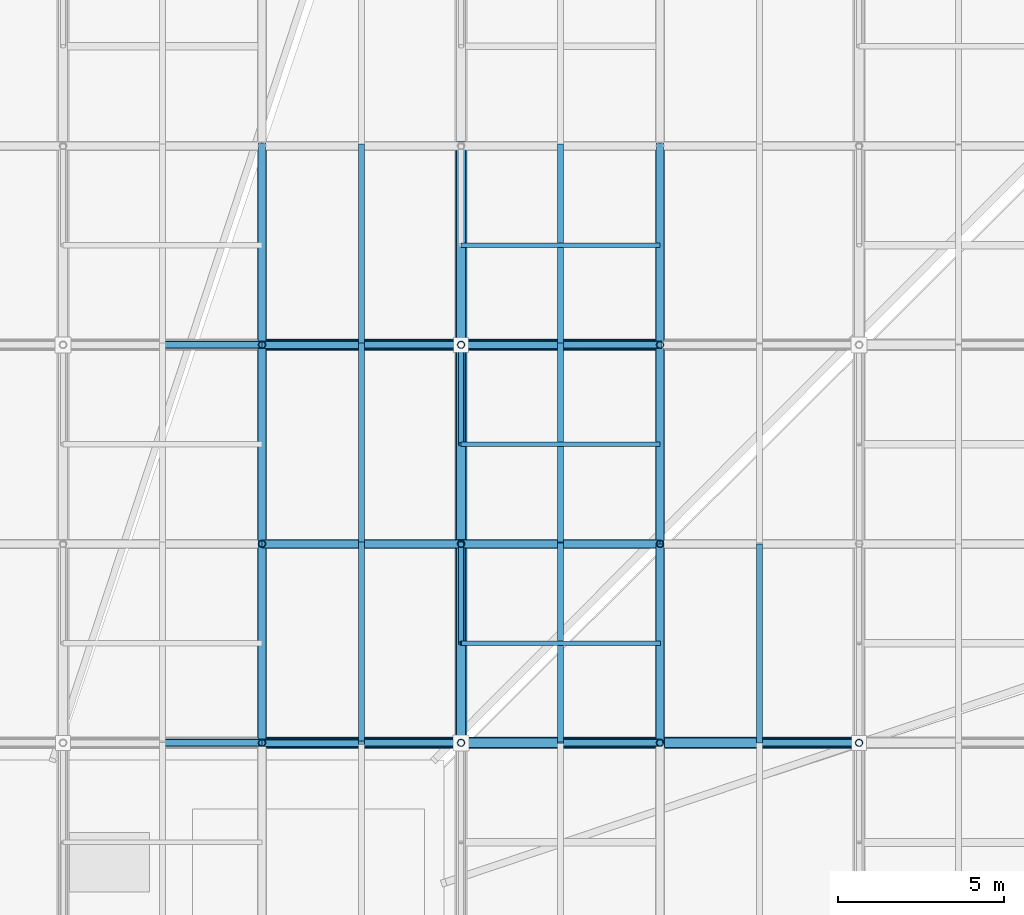
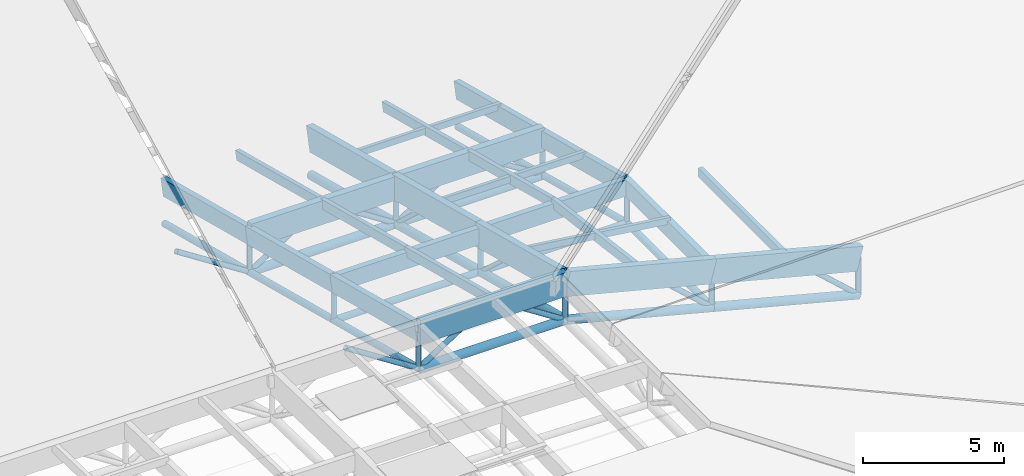
# One storey, part 40 of 80: 64 members.
"""IFC4 building model written with IfcOpenShell, lengths in metres."""

from ifc_helpers import new_model, si_unit, direction, frame, origin, origin_2d, place, context, subcontext, project, spatial, rectangle, hollow_circle, extrude, material, material_profile, profile_set, type_object, element, save


model = new_model("IFC4")

# Units and contexts
model_context = context("Model", 3, precision=1e-05, world=origin(), true_north=direction((0.0, 1.0)))
body_context = subcontext(model_context, "Body", "Model", "MODEL_VIEW")
ifc_project = project(units=[si_unit("LENGTHUNIT", "METRE"), si_unit("AREAUNIT", "SQUARE_METRE"), si_unit("VOLUMEUNIT", "CUBIC_METRE"), si_unit("PLANEANGLEUNIT", "RADIAN"), si_unit("MASSUNIT", "GRAM", prefix="KILO"), si_unit("THERMODYNAMICTEMPERATUREUNIT", "KELVIN"), si_unit("POWERUNIT", "WATT")], contexts=[model_context])

# Site, building, storey
site_placement = place(None, origin())
site = spatial("IfcSite", under=ifc_project, at=site_placement, CompositionType="ELEMENT")
building_placement = place(site_placement, origin())
building = spatial("IfcBuilding", under=site, at=building_placement, Name="Solmara Park Aquatics Centre", CompositionType="ELEMENT")
storey_placement = place(building_placement, frame((0.0, 0.0, 22.800048828125)))
storey = spatial("IfcBuildingStorey", under=building, at=storey_placement, Name="RF", CompositionType="ELEMENT", Elevation=22.800048828125)

# Members
ifc_material_1 = material(Name="Structural Steel S355", Category="steel")
ifc_material_profile_1 = material_profile(ifc_material_1, hollow_circle(Radius=0.084228515625, WallThickness=0.008056640625, at=origin_2d()), Name="CHS 168.3x8")
ifc_profile_set_1 = profile_set([ifc_material_profile_1], Name="Structural Steel S355")
member_type_1 = type_object("IfcMemberType", Name="STR-BRC-CHS168", PredefinedType="BRACE", material=ifc_profile_set_1)
for number, where, z_axis, x_axis, name in (
    (1, (72.60009765625, 54.60009765625, -6.486328125), (0.0, -0.736437262703, 0.67650584484), (1.0, 0.0, 0.0), "Roof Truss Web Diagonal Y 2053"),
    (2, (72.60009765625, 60.60009765625, -8.0380859375), (0.0, -0.736437262703, 0.67650584484), (1.0, 0.0, 0.0), "Roof Truss Web Diagonal Y 2078"),
):
    element("IfcMember", number, at=place(storey_placement, frame(where, z_axis=z_axis, x_axis=x_axis)), inside=storey, type_object=member_type_1, Name=name, PredefinedType="BRACE", context=body_context, shape_type="SweptSolid", body=[
        extrude(hollow_circle(Radius=0.084228515625, WallThickness=0.008056640625, at=origin_2d()), origin(), (0.0, 0.0, 1.0), 4.07373046875),
    ])
ifc_material_profile_2 = material_profile(ifc_material_1, hollow_circle(Radius=0.109619140625, WallThickness=0.010009765625, at=origin_2d()), Name="CHS 219.1x10")
ifc_profile_set_2 = profile_set([ifc_material_profile_2], Name="Structural Steel S355")
member_type_2 = type_object("IfcMemberType", Name="STR-BRC-CHS219", PredefinedType="BRACE", material=ifc_profile_set_2)
for number, where, z_axis, x_axis, name in (
    (3, (66.60009765625, 48.60009765625, -4.9345703125), (-0.83972779743, 0.0, 0.543007574738), (0.0, -1.0, 0.0), "Roof Truss Web Diagonal X 1646"),
    (4, (66.60009765625, 60.60009765625, -8.0380859375), (-0.83972779743, 0.0, 0.543007574738), (0.0, -1.0, 0.0), "Roof Truss Web Diagonal X 1648"),
    (5, (66.60009765625, 48.60009765625, -4.9345703125), (0.83972779743, 0.0, 0.543007574738), (0.0, 1.0, 0.0), "Roof Truss Web Diagonal X 1675"),
    (6, (72.60009765625, 48.60009765625, -4.9345703125), (-0.83972779743, 0.0, 0.543007574738), (0.0, -1.0, 0.0), "Roof Truss Web Diagonal X 1676"),
    (7, (66.60009765625, 60.60009765625, -8.0380859375), (0.83972779743, 0.0, 0.543007574738), (0.0, 1.0, 0.0), "Roof Truss Web Diagonal X 1677"),
    (8, (72.60009765625, 60.60009765625, -8.0380859375), (-0.83972779743, 0.0, 0.543007574738), (0.0, -1.0, 0.0), "Roof Truss Web Diagonal X 1678"),
):
    element("IfcMember", number, at=place(storey_placement, frame(where, z_axis=z_axis, x_axis=x_axis)), inside=storey, type_object=member_type_2, Name=name, PredefinedType="BRACE", context=body_context, shape_type="SweptSolid", body=[
        extrude(hollow_circle(Radius=0.109619140625, WallThickness=0.010009765625, at=origin_2d()), origin(), (0.0, 0.0, 1.0), 3.572509765625),
    ])
member_1_placement = place(storey_placement, frame((78.60009765625, 48.60009765625, -6.486328125), z_axis=(-0.741347083846, 0.0, 0.671121822974), x_axis=(0.0, -1.0, 0.0)))
element("IfcMember", 9, at=member_1_placement, inside=storey, type_object=member_type_2, Name="Roof Truss Web Diagonal X 1704", PredefinedType="BRACE", context=body_context, shape_type="SweptSolid", body=[
    extrude(hollow_circle(Radius=0.109619140625, WallThickness=0.010009765625, at=origin_2d()), origin(), (0.0, 0.0, 1.0), 4.046630859375),
])
for number, where, z_axis, x_axis, name in (
    (10, (72.60009765625, 60.60009765625, -8.0380859375), (0.83972779743, 0.0, 0.543007574738), (0.0, 1.0, 0.0), "Roof Truss Web Diagonal X 1705"),
    (11, (78.60009765625, 60.60009765625, -8.0380859375), (-0.83972779743, 0.0, 0.543007574738), (0.0, -1.0, 0.0), "Roof Truss Web Diagonal X 1706"),
):
    element("IfcMember", number, at=place(storey_placement, frame(where, z_axis=z_axis, x_axis=x_axis)), inside=storey, type_object=member_type_2, Name=name, PredefinedType="BRACE", context=body_context, shape_type="SweptSolid", body=[
        extrude(hollow_circle(Radius=0.109619140625, WallThickness=0.010009765625, at=origin_2d()), origin(), (0.0, 0.0, 1.0), 3.572509765625),
    ])
member_2_placement = place(storey_placement, frame((84.60009765625, 48.60009765625, -8.0380859375), z_axis=(-0.741347083846, 0.0, 0.671121822974), x_axis=(0.0, -1.0, 0.0)))
element("IfcMember", 12, at=member_2_placement, inside=storey, type_object=member_type_2, Name="Roof Truss Web Diagonal X 1732", PredefinedType="BRACE", context=body_context, shape_type="SweptSolid", body=[
    extrude(hollow_circle(Radius=0.109619140625, WallThickness=0.010009765625, at=origin_2d()), origin(), (0.0, 0.0, 1.0), 4.046630859375),
])
ifc_material_profile_3 = material_profile(ifc_material_1, hollow_circle(Radius=0.136474609375, WallThickness=0.012451171875, at=origin_2d()), Name="CHS 273x12.5")
ifc_profile_set_3 = profile_set([ifc_material_profile_3], Name="Structural Steel S355")
member_type_3 = type_object("IfcMemberType", Name="STR-CHD-CHS273", PredefinedType="CHORD", material=ifc_profile_set_3)
for number, where, z_axis, x_axis, name in (
    (13, (66.60009765625, 54.60009765625, -6.486328125), (1.0, 0.0, 0.0), (0.0, 1.0, 0.0), "Steel Roof Truss Bottom Chord X 0348"),
    (14, (72.60009765625, 54.60009765625, -6.486328125), (1.0, 0.0, 0.0), (0.0, 1.0, 0.0), "Steel Roof Truss Bottom Chord X 0350"),
):
    element("IfcMember", number, at=place(storey_placement, frame(where, z_axis=z_axis, x_axis=x_axis)), inside=storey, type_object=member_type_3, Name=name, PredefinedType="CHORD", context=body_context, shape_type="SweptSolid", body=[
        extrude(hollow_circle(Radius=0.136474609375, WallThickness=0.012451171875, at=origin_2d()), origin(), (0.0, 0.0, 1.0), 6.0),
    ])
for number, where, z_axis, x_axis, name in (
    (15, (66.60009765625, 48.60009765625, -4.9345703125), (0.0, 0.968145594442, -0.250387914969), (-1.0, 0.0, 0.0), "Steel Roof Truss Bottom Chord Y 0866"),
    (16, (66.60009765625, 54.60009765625, -6.486328125), (0.0, 0.968145594442, -0.250387914969), (-1.0, 0.0, 0.0), "Steel Roof Truss Bottom Chord Y 0868"),
    (17, (66.60009765625, 60.60009765625, -8.0380859375), (0.0, 0.968145594442, -0.250387914969), (-1.0, 0.0, 0.0), "Steel Roof Truss Bottom Chord Y 0870"),
):
    element("IfcMember", number, at=place(storey_placement, frame(where, z_axis=z_axis, x_axis=x_axis)), inside=storey, type_object=member_type_3, Name=name, PredefinedType="CHORD", context=body_context, shape_type="SweptSolid", body=[
        extrude(hollow_circle(Radius=0.136474609375, WallThickness=0.012451171875, at=origin_2d()), origin(), (0.0, 0.0, 1.0), 6.197509765625),
    ])
member_3_placement = place(storey_placement, frame((78.60009765625, 48.60009765625, -6.486328125), z_axis=(0.0, 1.0, 0.0), x_axis=(-1.0, 0.0, 0.0)))
element("IfcMember", 18, at=member_3_placement, inside=storey, type_object=member_type_3, Name="Steel Roof Truss Bottom Chord Y 0922", PredefinedType="CHORD", context=body_context, shape_type="SweptSolid", body=[
    extrude(hollow_circle(Radius=0.136474609375, WallThickness=0.012451171875, at=origin_2d()), origin(), (0.0, 0.0, 1.0), 6.0),
])
for number, where, z_axis, x_axis, name in (
    (19, (78.60009765625, 54.60009765625, -6.486328125), (0.0, 0.968145594442, -0.250387914969), (-1.0, 0.0, 0.0), "Steel Roof Truss Bottom Chord Y 0924"),
    (20, (78.60009765625, 60.60009765625, -8.0380859375), (0.0, 0.968145594442, -0.250387914969), (-1.0, 0.0, 0.0), "Steel Roof Truss Bottom Chord Y 0926"),
):
    element("IfcMember", number, at=place(storey_placement, frame(where, z_axis=z_axis, x_axis=x_axis)), inside=storey, type_object=member_type_3, Name=name, PredefinedType="CHORD", context=body_context, shape_type="SweptSolid", body=[
        extrude(hollow_circle(Radius=0.136474609375, WallThickness=0.012451171875, at=origin_2d()), origin(), (0.0, 0.0, 1.0), 6.197509765625),
    ])
ifc_material_profile_4 = material_profile(ifc_material_1, hollow_circle(Radius=0.177734375, WallThickness=0.01611328125, at=origin_2d()), Name="CHS 355.6x16")
ifc_profile_set_4 = profile_set([ifc_material_profile_4], Name="Structural Steel S355")
member_type_4 = type_object("IfcMemberType", Name="STR-CHD-CHS355", PredefinedType="CHORD", material=ifc_profile_set_4)
member_4_placement = place(storey_placement, frame((66.60009765625, 48.60009765625, -4.9345703125), z_axis=(1.0, 0.0, 0.0), x_axis=(0.0, 1.0, 0.0)))
element("IfcMember", 21, at=member_4_placement, inside=storey, type_object=member_type_4, Name="Steel Roof Truss Bottom Chord X 0312", PredefinedType="CHORD", context=body_context, shape_type="SweptSolid", body=[
    extrude(hollow_circle(Radius=0.177734375, WallThickness=0.01611328125, at=origin_2d()), origin(), (0.0, 0.0, 1.0), 6.0),
])
for number, where, z_axis, x_axis, name in (
    (22, (72.60009765625, 48.60009765625, -4.9345703125), (0.968145594442, 0.0, -0.250387914969), (0.0, 1.0, 0.0), "Steel Roof Truss Bottom Chord X 0314"),
    (23, (78.60009765625, 48.60009765625, -6.486328125), (0.968145594442, 0.0, -0.250387914969), (0.0, 1.0, 0.0), "Steel Roof Truss Bottom Chord X 0316"),
):
    element("IfcMember", number, at=place(storey_placement, frame(where, z_axis=z_axis, x_axis=x_axis)), inside=storey, type_object=member_type_4, Name=name, PredefinedType="CHORD", context=body_context, shape_type="SweptSolid", body=[
        extrude(hollow_circle(Radius=0.177734375, WallThickness=0.01611328125, at=origin_2d()), origin(), (0.0, 0.0, 1.0), 6.197509765625),
    ])
for number, where, z_axis, x_axis, name in (
    (24, (66.60009765625, 60.60009765625, -8.0380859375), (1.0, 0.0, 0.0), (0.0, 1.0, 0.0), "Steel Roof Truss Bottom Chord X 0384"),
    (25, (72.60009765625, 60.60009765625, -8.0380859375), (1.0, 0.0, 0.0), (0.0, 1.0, 0.0), "Steel Roof Truss Bottom Chord X 0386"),
):
    element("IfcMember", number, at=place(storey_placement, frame(where, z_axis=z_axis, x_axis=x_axis)), inside=storey, type_object=member_type_4, Name=name, PredefinedType="CHORD", context=body_context, shape_type="SweptSolid", body=[
        extrude(hollow_circle(Radius=0.177734375, WallThickness=0.01611328125, at=origin_2d()), origin(), (0.0, 0.0, 1.0), 6.0),
    ])
for number, where, z_axis, x_axis, name in (
    (26, (72.60009765625, 48.60009765625, -4.9345703125), (0.0, 0.968145594442, -0.250387914969), (-1.0, 0.0, 0.0), "Steel Roof Truss Bottom Chord Y 0894"),
    (27, (72.60009765625, 54.60009765625, -6.486328125), (0.0, 0.968145594442, -0.250387914969), (-1.0, 0.0, 0.0), "Steel Roof Truss Bottom Chord Y 0896"),
    (28, (72.60009765625, 60.60009765625, -8.0380859375), (0.0, 0.968145594442, -0.250387914969), (-1.0, 0.0, 0.0), "Steel Roof Truss Bottom Chord Y 0898"),
):
    element("IfcMember", number, at=place(storey_placement, frame(where, z_axis=z_axis, x_axis=x_axis)), inside=storey, type_object=member_type_4, Name=name, PredefinedType="CHORD", context=body_context, shape_type="SweptSolid", body=[
        extrude(hollow_circle(Radius=0.177734375, WallThickness=0.01611328125, at=origin_2d()), origin(), (0.0, 0.0, 1.0), 6.197509765625),
    ])
ifc_material_2 = material(Name="Glulam Timber GL28h", Category="wood")
ifc_material_profile_5 = material_profile(ifc_material_2, rectangle(XDim=0.239990234375, YDim=0.719970703125, at=origin_2d()), Name="GL28h 240x720")
ifc_profile_set_5 = profile_set([ifc_material_profile_5], Name="Glulam Timber GL28h")
member_type_5 = type_object("IfcMemberType", Name="STR-CHD-GL240x720", PredefinedType="CHORD", material=ifc_profile_set_5)
for number, where, z_axis, x_axis, name in (
    (29, (66.60009765625, 54.60009765625, -4.866455078125), (1.0, 0.0, 0.0), (0.0, 1.0, 0.0), "Glulam Roof Truss Top Chord X 0347"),
    (30, (72.60009765625, 54.60009765625, -4.866455078125), (1.0, 0.0, 0.0), (0.0, 1.0, 0.0), "Glulam Roof Truss Top Chord X 0349"),
):
    element("IfcMember", number, at=place(storey_placement, frame(where, z_axis=z_axis, x_axis=x_axis)), inside=storey, type_object=member_type_5, Name=name, PredefinedType="CHORD", context=body_context, shape_type="SweptSolid", body=[
        extrude(rectangle(XDim=0.239990234375, YDim=0.719970703125, at=origin_2d()), origin(), (0.0, 0.0, 1.0), 6.0),
    ])
member_5_placement = place(storey_placement, frame((66.60009765625, 48.60009765625, -3.314697265625), z_axis=(0.0, 0.968145594442, -0.250387914969), x_axis=(-1.0, 0.0, 0.0)))
element("IfcMember", 31, at=member_5_placement, inside=storey, type_object=member_type_5, Name="Glulam Roof Truss Top Chord Y 0865", PredefinedType="CHORD", context=body_context, shape_type="SweptSolid", body=[
    extrude(rectangle(XDim=0.239990234375, YDim=0.719970703125, at=origin_2d()), origin(), (0.0, 0.0, 1.0), 6.197509765625),
])
member_6_placement = place(storey_placement, frame((66.60009765625, 54.60009765625, -4.866455078125), z_axis=(0.0, 0.968155143395, -0.250350990246), x_axis=(-1.0, 0.0, 0.0)))
element("IfcMember", 32, at=member_6_placement, inside=storey, type_object=member_type_5, Name="Glulam Roof Truss Top Chord Y 0867", PredefinedType="CHORD", context=body_context, shape_type="SweptSolid", body=[
    extrude(rectangle(XDim=0.239990234375, YDim=0.719970703125, at=origin_2d()), origin(), (0.0, 0.0, 1.0), 6.197265625),
])
member_7_placement = place(storey_placement, frame((66.60009765625, 60.60009765625, -6.41796875), z_axis=(0.0, 0.968145594442, -0.250387914969), x_axis=(-1.0, 0.0, 0.0)))
element("IfcMember", 33, at=member_7_placement, inside=storey, type_object=member_type_5, Name="Glulam Roof Truss Top Chord Y 0869", PredefinedType="CHORD", context=body_context, shape_type="SweptSolid", body=[
    extrude(rectangle(XDim=0.239990234375, YDim=0.719970703125, at=origin_2d()), origin(), (0.0, 0.0, 1.0), 6.197509765625),
])
member_8_placement = place(storey_placement, frame((78.60009765625, 48.60009765625, -4.866455078125), z_axis=(0.0, 1.0, 0.0), x_axis=(-1.0, 0.0, 0.0)))
element("IfcMember", 34, at=member_8_placement, inside=storey, type_object=member_type_5, Name="Glulam Roof Truss Top Chord Y 0921", PredefinedType="CHORD", context=body_context, shape_type="SweptSolid", body=[
    extrude(rectangle(XDim=0.239990234375, YDim=0.719970703125, at=origin_2d()), origin(), (0.0, 0.0, 1.0), 6.0),
])
member_9_placement = place(storey_placement, frame((78.60009765625, 54.60009765625, -4.866455078125), z_axis=(0.0, 0.968155143395, -0.250350990246), x_axis=(-1.0, 0.0, 0.0)))
element("IfcMember", 35, at=member_9_placement, inside=storey, type_object=member_type_5, Name="Glulam Roof Truss Top Chord Y 0923", PredefinedType="CHORD", context=body_context, shape_type="SweptSolid", body=[
    extrude(rectangle(XDim=0.239990234375, YDim=0.719970703125, at=origin_2d()), origin(), (0.0, 0.0, 1.0), 6.197265625),
])
member_10_placement = place(storey_placement, frame((78.60009765625, 60.60009765625, -6.41796875), z_axis=(0.0, 0.968145594442, -0.250387914969), x_axis=(-1.0, 0.0, 0.0)))
element("IfcMember", 36, at=member_10_placement, inside=storey, type_object=member_type_5, Name="Glulam Roof Truss Top Chord Y 0925", PredefinedType="CHORD", context=body_context, shape_type="SweptSolid", body=[
    extrude(rectangle(XDim=0.239990234375, YDim=0.719970703125, at=origin_2d()), origin(), (0.0, 0.0, 1.0), 6.197509765625),
])
ifc_material_profile_6 = material_profile(ifc_material_2, rectangle(XDim=0.280029296875, YDim=1.0400390625, at=origin_2d()), Name="GL28h 280x1040")
ifc_profile_set_6 = profile_set([ifc_material_profile_6], Name="Glulam Timber GL28h")
member_type_6 = type_object("IfcMemberType", Name="STR-CHD-GL280x1040", PredefinedType="CHORD", material=ifc_profile_set_6)
member_11_placement = place(storey_placement, frame((66.60009765625, 48.60009765625, -3.314697265625), z_axis=(1.0, 0.0, 0.0), x_axis=(0.0, 1.0, 0.0)))
element("IfcMember", 37, at=member_11_placement, inside=storey, type_object=member_type_6, Name="Glulam Roof Truss Top Chord X 0311", PredefinedType="CHORD", context=body_context, shape_type="SweptSolid", body=[
    extrude(rectangle(XDim=0.280029296875, YDim=1.0400390625, at=origin_2d()), origin(), (0.0, 0.0, 1.0), 6.0),
])
member_12_placement = place(storey_placement, frame((72.60009765625, 48.60009765625, -3.314697265625), z_axis=(0.968145594442, 0.0, -0.250387914969), x_axis=(0.0, 1.0, 0.0)))
element("IfcMember", 38, at=member_12_placement, inside=storey, type_object=member_type_6, Name="Glulam Roof Truss Top Chord X 0313", PredefinedType="CHORD", context=body_context, shape_type="SweptSolid", body=[
    extrude(rectangle(XDim=0.280029296875, YDim=1.0400390625, at=origin_2d()), origin(), (0.0, 0.0, 1.0), 6.197509765625),
])
member_13_placement = place(storey_placement, frame((78.60009765625, 48.60009765625, -4.866455078125), z_axis=(0.968155143395, 0.0, -0.250350990246), x_axis=(0.0, 1.0, 0.0)))
element("IfcMember", 39, at=member_13_placement, inside=storey, type_object=member_type_6, Name="Glulam Roof Truss Top Chord X 0315", PredefinedType="CHORD", context=body_context, shape_type="SweptSolid", body=[
    extrude(rectangle(XDim=0.280029296875, YDim=1.0400390625, at=origin_2d()), origin(), (0.0, 0.0, 1.0), 6.197265625),
])
for number, where, z_axis, x_axis, name in (
    (40, (66.60009765625, 60.60009765625, -6.41796875), (1.0, 0.0, 0.0), (0.0, 1.0, 0.0), "Glulam Roof Truss Top Chord X 0383"),
    (41, (72.60009765625, 60.60009765625, -6.41796875), (1.0, 0.0, 0.0), (0.0, 1.0, 0.0), "Glulam Roof Truss Top Chord X 0385"),
):
    element("IfcMember", number, at=place(storey_placement, frame(where, z_axis=z_axis, x_axis=x_axis)), inside=storey, type_object=member_type_6, Name=name, PredefinedType="CHORD", context=body_context, shape_type="SweptSolid", body=[
        extrude(rectangle(XDim=0.280029296875, YDim=1.0400390625, at=origin_2d()), origin(), (0.0, 0.0, 1.0), 6.0),
    ])
member_14_placement = place(storey_placement, frame((72.60009765625, 48.60009765625, -3.314697265625), z_axis=(0.0, 0.968145594442, -0.250387914969), x_axis=(-1.0, 0.0, 0.0)))
element("IfcMember", 42, at=member_14_placement, inside=storey, type_object=member_type_6, Name="Glulam Roof Truss Top Chord Y 0893", PredefinedType="CHORD", context=body_context, shape_type="SweptSolid", body=[
    extrude(rectangle(XDim=0.280029296875, YDim=1.0400390625, at=origin_2d()), origin(), (0.0, 0.0, 1.0), 6.197509765625),
])
member_15_placement = place(storey_placement, frame((72.60009765625, 54.60009765625, -4.866455078125), z_axis=(0.0, 0.968155143395, -0.250350990246), x_axis=(-1.0, 0.0, 0.0)))
element("IfcMember", 43, at=member_15_placement, inside=storey, type_object=member_type_6, Name="Glulam Roof Truss Top Chord Y 0895", PredefinedType="CHORD", context=body_context, shape_type="SweptSolid", body=[
    extrude(rectangle(XDim=0.280029296875, YDim=1.0400390625, at=origin_2d()), origin(), (0.0, 0.0, 1.0), 6.197265625),
])
member_16_placement = place(storey_placement, frame((72.60009765625, 60.60009765625, -6.41796875), z_axis=(0.0, 0.968145594442, -0.250387914969), x_axis=(-1.0, 0.0, 0.0)))
element("IfcMember", 44, at=member_16_placement, inside=storey, type_object=member_type_6, Name="Glulam Roof Truss Top Chord Y 0897", PredefinedType="CHORD", context=body_context, shape_type="SweptSolid", body=[
    extrude(rectangle(XDim=0.280029296875, YDim=1.0400390625, at=origin_2d()), origin(), (0.0, 0.0, 1.0), 6.197509765625),
])
ifc_material_profile_7 = material_profile(ifc_material_2, rectangle(XDim=0.139892578125, YDim=0.280029296875, at=origin_2d()), Name="GL28h 140x280")
ifc_profile_set_7 = profile_set([ifc_material_profile_7], Name="Glulam Timber GL28h")
member_type_7 = type_object("IfcMemberType", Name="STR-PRL-GL140x280", PredefinedType="PURLIN", material=ifc_profile_set_7)
member_17_placement = place(storey_placement, frame((72.60009765625, 51.60009765625, -3.75048828125), z_axis=(0.991742472473, 0.0, -0.128245344137), x_axis=(0.0, 1.0, 0.0)))
element("IfcMember", 45, at=member_17_placement, inside=storey, type_object=member_type_7, Name="Glulam Secondary Roof Purlin 2041", PredefinedType="PURLIN", context=body_context, shape_type="SweptSolid", body=[
    extrude(rectangle(XDim=0.139892578125, YDim=0.280029296875, at=origin_2d()), origin(), (0.0, 0.0, 1.0), 6.050048828125),
])
for number, where, z_axis, x_axis, name in (
    (46, (72.60009765625, 57.60009765625, -5.30224609375), (1.0, 0.0, 0.0), (0.0, 1.0, 0.0), "Glulam Secondary Roof Purlin 2066"),
    (47, (72.60009765625, 63.60009765625, -6.85400390625), (1.0, 0.0, 0.0), (0.0, 1.0, 0.0), "Glulam Secondary Roof Purlin 2091"),
):
    element("IfcMember", number, at=place(storey_placement, frame(where, z_axis=z_axis, x_axis=x_axis)), inside=storey, type_object=member_type_7, Name=name, PredefinedType="PURLIN", context=body_context, shape_type="SweptSolid", body=[
        extrude(rectangle(XDim=0.139892578125, YDim=0.280029296875, at=origin_2d()), origin(), (0.0, 0.0, 1.0), 6.0),
    ])
ifc_material_profile_8 = material_profile(ifc_material_2, rectangle(XDim=0.179931640625, YDim=0.39990234375, at=origin_2d()), Name="GL28h 180x400")
ifc_profile_set_8 = profile_set([ifc_material_profile_8], Name="Glulam Timber GL28h")
member_type_8 = type_object("IfcMemberType", Name="STR-PRL-GL180x400", PredefinedType="PURLIN", material=ifc_profile_set_8)
for number, where, z_axis, x_axis, name in (
    (48, (69.60009765625, 48.60009765625, -2.99462890625), (0.0, 0.968145594442, -0.250387914969), (-1.0, 0.0, 0.0), "Glulam Roof Purlin 1661"),
    (49, (69.60009765625, 54.60009765625, -4.54638671875), (0.0, 0.968145594442, -0.250387914969), (-1.0, 0.0, 0.0), "Glulam Roof Purlin 1662"),
):
    element("IfcMember", number, at=place(storey_placement, frame(where, z_axis=z_axis, x_axis=x_axis)), inside=storey, type_object=member_type_8, Name=name, PredefinedType="PURLIN", context=body_context, shape_type="SweptSolid", body=[
        extrude(rectangle(XDim=0.179931640625, YDim=0.39990234375, at=origin_2d()), origin(), (0.0, 0.0, 1.0), 6.197509765625),
    ])
member_18_placement = place(storey_placement, frame((69.60009765625, 60.60009765625, -6.09814453125), z_axis=(0.0, 0.968155143395, -0.250350990246), x_axis=(-1.0, 0.0, 0.0)))
element("IfcMember", 50, at=member_18_placement, inside=storey, type_object=member_type_8, Name="Glulam Roof Purlin 1663", PredefinedType="PURLIN", context=body_context, shape_type="SweptSolid", body=[
    extrude(rectangle(XDim=0.179931640625, YDim=0.39990234375, at=origin_2d()), origin(), (0.0, 0.0, 1.0), 6.197265625),
])
member_19_placement = place(storey_placement, frame((75.60009765625, 48.60009765625, -3.7705078125), z_axis=(0.0, 0.991742472473, -0.128245344137), x_axis=(-1.0, 0.0, 0.0)))
element("IfcMember", 51, at=member_19_placement, inside=storey, type_object=member_type_8, Name="Glulam Roof Purlin 1691", PredefinedType="PURLIN", context=body_context, shape_type="SweptSolid", body=[
    extrude(rectangle(XDim=0.179931640625, YDim=0.39990234375, at=origin_2d()), origin(), (0.0, 0.0, 1.0), 6.050048828125),
])
member_20_placement = place(storey_placement, frame((75.60009765625, 54.60009765625, -4.54638671875), z_axis=(0.0, 0.968145594442, -0.250387914969), x_axis=(-1.0, 0.0, 0.0)))
element("IfcMember", 52, at=member_20_placement, inside=storey, type_object=member_type_8, Name="Glulam Roof Purlin 1692", PredefinedType="PURLIN", context=body_context, shape_type="SweptSolid", body=[
    extrude(rectangle(XDim=0.179931640625, YDim=0.39990234375, at=origin_2d()), origin(), (0.0, 0.0, 1.0), 6.197509765625),
])
member_21_placement = place(storey_placement, frame((75.60009765625, 60.60009765625, -6.09814453125), z_axis=(0.0, 0.968155143395, -0.250350990246), x_axis=(-1.0, 0.0, 0.0)))
element("IfcMember", 53, at=member_21_placement, inside=storey, type_object=member_type_8, Name="Glulam Roof Purlin 1693", PredefinedType="PURLIN", context=body_context, shape_type="SweptSolid", body=[
    extrude(rectangle(XDim=0.179931640625, YDim=0.39990234375, at=origin_2d()), origin(), (0.0, 0.0, 1.0), 6.197265625),
])
member_22_placement = place(storey_placement, frame((81.60009765625, 48.60009765625, -5.322265625), z_axis=(0.0, 1.0, 0.0), x_axis=(-1.0, 0.0, 0.0)))
element("IfcMember", 54, at=member_22_placement, inside=storey, type_object=member_type_8, Name="Glulam Roof Purlin 1719", PredefinedType="PURLIN", context=body_context, shape_type="SweptSolid", body=[
    extrude(rectangle(XDim=0.179931640625, YDim=0.39990234375, at=origin_2d()), origin(), (0.0, 0.0, 1.0), 6.0),
])
ifc_material_profile_9 = material_profile(ifc_material_1, hollow_circle(Radius=0.109619140625, WallThickness=0.010009765625, at=origin_2d()), Name="CHS 219.1x10")
ifc_profile_set_9 = profile_set([ifc_material_profile_9], Name="Structural Steel S355")
member_type_9 = type_object("IfcMemberType", Name="STR-PST-CHS219", PredefinedType="POST", material=ifc_profile_set_9)
for number, where, z_axis, x_axis, name in (
    (55, (66.60009765625, 48.60009765625, -4.9345703125), (0.0, 0.0, 1.0), (1.0, 0.0, 0.0), "Roof Truss Web Post 1239"),
    (56, (66.60009765625, 54.60009765625, -6.486328125), (0.0, 0.0, 1.0), (1.0, 0.0, 0.0), "Roof Truss Web Post 1240"),
):
    element("IfcMember", number, at=place(storey_placement, frame(where, z_axis=z_axis, x_axis=x_axis)), inside=storey, type_object=member_type_9, Name=name, PredefinedType="POST", context=body_context, shape_type="SweptSolid", body=[
        extrude(hollow_circle(Radius=0.109619140625, WallThickness=0.010009765625, at=origin_2d()), origin(), (0.0, 0.0, 1.0), 1.619873046875),
    ])
member_23_placement = place(storey_placement, frame((66.60009765625, 60.60009765625, -8.0380859375), z_axis=(0.0, 0.0, 1.0), x_axis=(1.0, 0.0, 0.0)))
element("IfcMember", 57, at=member_23_placement, inside=storey, type_object=member_type_9, Name="Roof Truss Web Post 1241", PredefinedType="POST", context=body_context, shape_type="SweptSolid", body=[
    extrude(hollow_circle(Radius=0.109619140625, WallThickness=0.010009765625, at=origin_2d()), origin(), (0.0, 0.0, 1.0), 1.6201171875),
])
for number, where, z_axis, x_axis, name in (
    (58, (72.60009765625, 48.60009765625, -4.9345703125), (0.0, 0.0, 1.0), (1.0, 0.0, 0.0), "Roof Truss Web Post 1254"),
    (59, (72.60009765625, 54.60009765625, -6.486328125), (0.0, 0.0, 1.0), (1.0, 0.0, 0.0), "Roof Truss Web Post 1255"),
):
    element("IfcMember", number, at=place(storey_placement, frame(where, z_axis=z_axis, x_axis=x_axis)), inside=storey, type_object=member_type_9, Name=name, PredefinedType="POST", context=body_context, shape_type="SweptSolid", body=[
        extrude(hollow_circle(Radius=0.109619140625, WallThickness=0.010009765625, at=origin_2d()), origin(), (0.0, 0.0, 1.0), 1.619873046875),
    ])
member_24_placement = place(storey_placement, frame((72.60009765625, 60.60009765625, -8.0380859375), z_axis=(0.0, 0.0, 1.0), x_axis=(1.0, 0.0, 0.0)))
element("IfcMember", 60, at=member_24_placement, inside=storey, type_object=member_type_9, Name="Roof Truss Web Post 1256", PredefinedType="POST", context=body_context, shape_type="SweptSolid", body=[
    extrude(hollow_circle(Radius=0.109619140625, WallThickness=0.010009765625, at=origin_2d()), origin(), (0.0, 0.0, 1.0), 1.6201171875),
])
for number, where, z_axis, x_axis, name in (
    (61, (78.60009765625, 48.60009765625, -6.486328125), (0.0, 0.0, 1.0), (1.0, 0.0, 0.0), "Roof Truss Web Post 1269"),
    (62, (78.60009765625, 54.60009765625, -6.486328125), (0.0, 0.0, 1.0), (1.0, 0.0, 0.0), "Roof Truss Web Post 1270"),
):
    element("IfcMember", number, at=place(storey_placement, frame(where, z_axis=z_axis, x_axis=x_axis)), inside=storey, type_object=member_type_9, Name=name, PredefinedType="POST", context=body_context, shape_type="SweptSolid", body=[
        extrude(hollow_circle(Radius=0.109619140625, WallThickness=0.010009765625, at=origin_2d()), origin(), (0.0, 0.0, 1.0), 1.619873046875),
    ])
for number, where, z_axis, x_axis, name in (
    (63, (78.60009765625, 60.60009765625, -8.0380859375), (0.0, 0.0, 1.0), (1.0, 0.0, 0.0), "Roof Truss Web Post 1271"),
    (64, (84.60009765625, 48.60009765625, -8.0380859375), (0.0, 0.0, 1.0), (1.0, 0.0, 0.0), "Roof Truss Web Post 1284"),
):
    element("IfcMember", number, at=place(storey_placement, frame(where, z_axis=z_axis, x_axis=x_axis)), inside=storey, type_object=member_type_9, Name=name, PredefinedType="POST", context=body_context, shape_type="SweptSolid", body=[
        extrude(hollow_circle(Radius=0.109619140625, WallThickness=0.010009765625, at=origin_2d()), origin(), (0.0, 0.0, 1.0), 1.6201171875),
    ])

save(model, "model.ifc")
